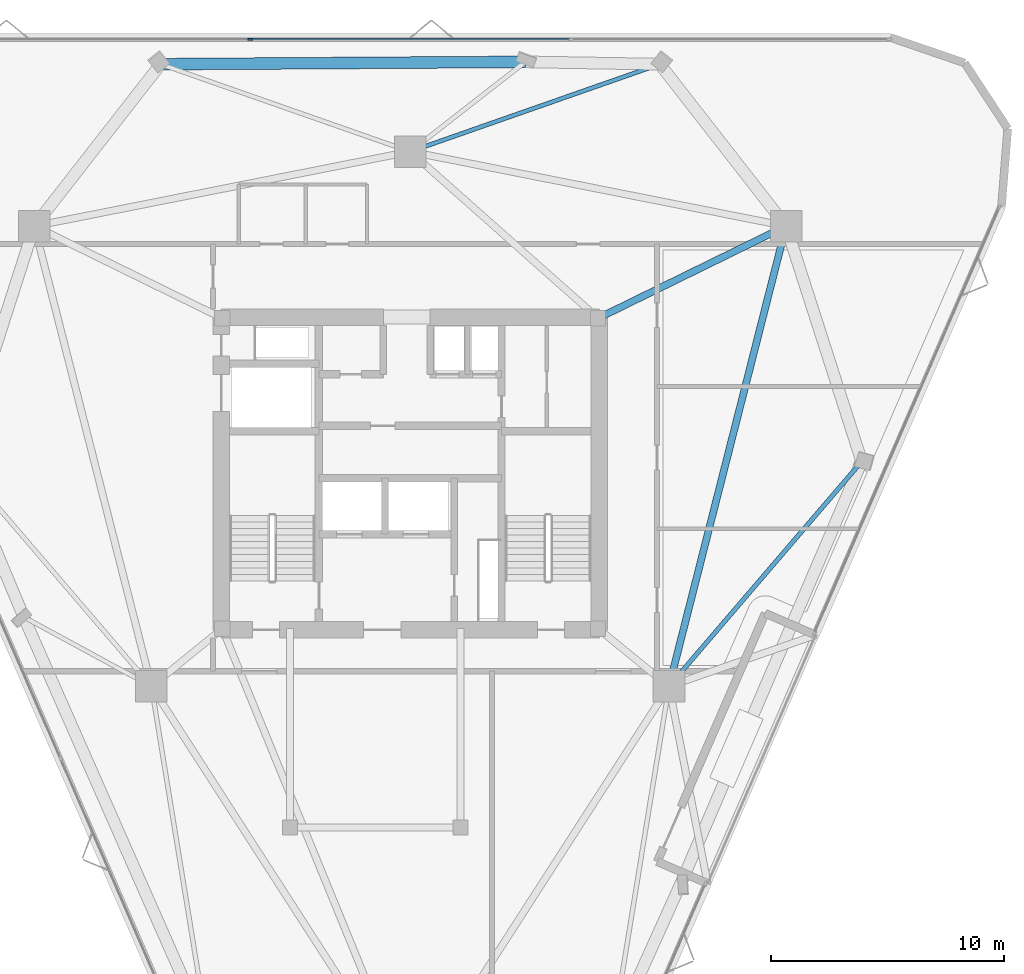
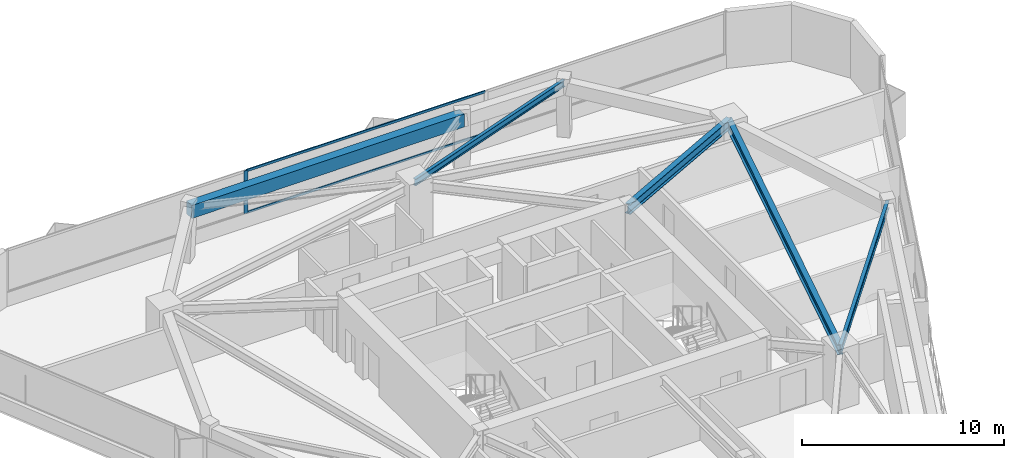
# One storey, part 5 of 11: 5 beams, 3 members, 1 element without a shape of its own.
"""IFC4 building model written with IfcOpenShell, lengths in metres."""

from ifc_helpers import new_model, si_unit, direction, frame, origin, origin_2d, place, context, subcontext, project, spatial, rectangle, i_section, extrude, material, layer, layer_set, material_profile, profile_set, type_object, element, aggregate, save


model = new_model("IFC4")

# Units and contexts
model_context = context("Model", 3, precision=1e-05, world=origin(), true_north=direction((0.0, 1.0)))
body_context = subcontext(model_context, "Body", "Model", "MODEL_VIEW")
ifc_project = project(units=[si_unit("LENGTHUNIT", "METRE"), si_unit("AREAUNIT", "SQUARE_METRE"), si_unit("VOLUMEUNIT", "CUBIC_METRE"), si_unit("PLANEANGLEUNIT", "RADIAN"), si_unit("MASSUNIT", "GRAM", prefix="KILO")], contexts=[model_context])

# Site, building, storey
site_placement = place(None, origin())
site = spatial("IfcSite", under=ifc_project, at=site_placement, CompositionType="ELEMENT")
building_placement = place(site_placement, origin())
building = spatial("IfcBuilding", under=site, at=building_placement, Name="Talyreon Biosciences Tower", CompositionType="ELEMENT")
storey_placement = place(building_placement, frame((0.0, 0.0, 201.300048828125)))
storey = spatial("IfcBuildingStorey", under=building, at=storey_placement, Name="L53", CompositionType="ELEMENT", Elevation=201.300048828125)

# Curtain wall, members
ifc_material_1 = material(Name="Thermally broken aluminium and low-E glazing", Category="aluminium")
ifc_layer = layer(ifc_material_1, 0.205078125)
ifc_layer_set = layer_set([ifc_layer], Name="Thermally broken aluminium and low-E glazing")
curtain_wall_type = type_object("IfcCurtainWallType", Name="CurtainWall_SkyGardenLoggia", PredefinedType="NOTDEFINED", material=ifc_layer_set)
curtain_wall_placement = place(storey_placement, origin())
curtain_wall = element("IfcCurtainWall", 1, at=curtain_wall_placement, inside=storey, type_object=curtain_wall_type, Name="L53 Unitised Curtain Wall FCW-L53-03", PredefinedType="NOTDEFINED")
ifc_material_2 = material(Name="Anodised thermally broken aluminium", Category="aluminium")
ifc_material_profile_1 = material_profile(ifc_material_2, rectangle(XDim=0.074951171875, YDim=0.2099609375, at=origin_2d()), Name="ALUM MULLION 75x210")
ifc_profile_set_1 = profile_set([ifc_material_profile_1], Name="Anodised thermally broken aluminium")
member_type_1 = type_object("IfcMemberType", Name="CWMullion_75x210", PredefinedType="MULLION", material=ifc_profile_set_1)
member_1_placement = place(storey_placement, frame((59.144775390625, 86.605224609375, 0.81005859375), z_axis=(0.0, 0.0, 1.0), x_axis=(0.0, 1.0, 0.0)))
member_1 = element("IfcMember", 2, at=member_1_placement, type_object=member_type_1, Name="CW7 mullion 2", PredefinedType="MULLION", context=body_context, shape_type="SweptSolid", body=[
    extrude(rectangle(XDim=0.074951171875, YDim=0.2099609375, at=origin_2d()), origin(), (0.0, 0.0, 1.0), 2.58984375),
])
ifc_material_profile_2 = material_profile(ifc_material_2, rectangle(XDim=0.06494140625, YDim=0.139892578125, at=origin_2d()), Name="ALUM TRANSOM 65x140")
ifc_profile_set_2 = profile_set([ifc_material_profile_2], Name="Anodised thermally broken aluminium")
member_type_2 = type_object("IfcMemberType", Name="CWTransom_65x140", PredefinedType="USERDEFINED", material=ifc_profile_set_2)
member_2_placement = place(storey_placement, frame((59.182373046875, 86.605224609375, 0.842529296875), z_axis=(1.0, 0.0, 0.0), x_axis=(0.0, 1.0, 0.0)))
member_2 = element("IfcMember", 3, at=member_2_placement, type_object=member_type_2, Name="CW7 transom 2.1", ObjectType="TRANSOM", PredefinedType="USERDEFINED", context=body_context, shape_type="SweptSolid", body=[
    extrude(rectangle(XDim=0.06494140625, YDim=0.139892578125, at=origin_2d()), origin(), (0.0, 0.0, 1.0), 13.63525390625),
])
member_3_placement = place(storey_placement, frame((59.182373046875, 86.605224609375, 3.367431640625), z_axis=(1.0, 0.0, 0.0), x_axis=(0.0, 1.0, 0.0)))
member_3 = element("IfcMember", 4, at=member_3_placement, type_object=member_type_2, Name="CW7 transom 2.2", ObjectType="TRANSOM", PredefinedType="USERDEFINED", context=body_context, shape_type="SweptSolid", body=[
    extrude(rectangle(XDim=0.06494140625, YDim=0.139892578125, at=origin_2d()), origin(), (0.0, 0.0, 1.0), 13.63525390625),
])
aggregate(curtain_wall, [member_1, member_2, member_3])

# Beams
ifc_material_3 = material(Name="Precast concrete C45/55", Category="concrete")
ifc_material_profile_3 = material_profile(ifc_material_3, rectangle(XDim=0.5, YDim=0.780029296875, at=origin_2d()), Name="RCB 500x780")
ifc_profile_set_3 = profile_set([ifc_material_profile_3], Name="Precast concrete C45/55")
beam_type_1 = type_object("IfcBeamType", Name="ExpressedSpandrel_500x780", PredefinedType="SPANDREL", material=ifc_profile_set_3)
beam_1_placement = place(storey_placement, frame((70.935791015625, 85.63525390625, 3.010009765625), z_axis=(-0.99997949343, -0.006404117343, 0.0), x_axis=(0.006404117343, -0.99997949343, 0.0)))
element("IfcBeam", 5, at=beam_1_placement, inside=storey, type_object=beam_type_1, Name="L53 Expressed Horizontal Concrete Spandrel 07", PredefinedType="SPANDREL", context=body_context, shape_type="SweptSolid", body=[
    extrude(rectangle(XDim=0.5, YDim=0.780029296875, at=origin_2d()), origin(), (0.0, 0.0, 1.0), 15.630126953125),
])
ifc_material_4 = material(Name="Steel SM355", Category="steel")
ifc_material_profile_4 = material_profile(ifc_material_4, i_section(OverallWidth=0.300048828125, OverallDepth=0.60009765625, WebThickness=0.015380859375, FlangeThickness=0.030029296875, FilletRadius=0.027099609375, at=origin_2d()), Name="HE600B")
ifc_profile_set_4 = profile_set([ifc_material_profile_4], Name="Steel SM355")
beam_type_2 = type_object("IfcBeamType", Name="SteelBeam_HE600B", PredefinedType="BEAM", material=ifc_profile_set_4)
beam_2_placement = place(storey_placement, frame((77.086181640625, 58.88037109375, 3.099853515625), z_axis=(0.246537082299, 0.969133358755, 0.0), x_axis=(-0.969133358755, 0.246537082299, 0.0)))
element("IfcBeam", 6, at=beam_2_placement, inside=storey, type_object=beam_type_2, Name="L53 Mega-Ring Girder 2", PredefinedType="BEAM", context=body_context, shape_type="SweptSolid", body=[
    extrude(i_section(OverallWidth=0.300048828125, OverallDepth=0.60009765625, WebThickness=0.015380859375, FlangeThickness=0.030029296875, FilletRadius=0.027099609375, at=origin_2d()), origin(), (0.0, 0.0, 1.0), 20.34619140625),
])
beam_3_placement = place(storey_placement, frame((74.050048828125, 74.64990234375, 3.099853515625), z_axis=(0.897852360314, 0.440296648952, 0.0), x_axis=(-0.440296648952, 0.897852360314, 0.0)))
element("IfcBeam", 7, at=beam_3_placement, inside=storey, type_object=beam_type_2, Name="L53 Radial Primary Girder 3", PredefinedType="BEAM", context=body_context, shape_type="SweptSolid", body=[
    extrude(i_section(OverallWidth=0.300048828125, OverallDepth=0.60009765625, WebThickness=0.015380859375, FlangeThickness=0.030029296875, FilletRadius=0.027099609375, at=origin_2d()), origin(), (0.0, 0.0, 1.0), 8.96826171875),
])
ifc_material_profile_5 = material_profile(ifc_material_4, i_section(OverallWidth=0.179931640625, OverallDepth=0.39990234375, WebThickness=0.008544921875, FlangeThickness=0.013427734375, FilletRadius=0.02099609375, at=origin_2d()), Name="IPE400")
ifc_profile_set_5 = profile_set([ifc_material_profile_5], Name="Steel SM355")
beam_type_3 = type_object("IfcBeamType", Name="SteelJoist_IPE400", PredefinedType="JOIST", material=ifc_profile_set_5)
beam_4_placement = place(storey_placement, frame((66.0, 81.788818359375, 3.199951171875), z_axis=(0.943764601957, 0.33061817266, 0.0), x_axis=(-0.33061817266, 0.943764601957, 0.0)))
element("IfcBeam", 8, at=beam_4_placement, inside=storey, type_object=beam_type_3, Name="L53 Radial Composite Floor Joist PC-N1", PredefinedType="JOIST", context=body_context, shape_type="SweptSolid", body=[
    extrude(i_section(OverallWidth=0.179931640625, OverallDepth=0.39990234375, WebThickness=0.008544921875, FlangeThickness=0.013427734375, FilletRadius=0.02099609375, at=origin_2d()), origin(), (0.0, 0.0, 1.0), 11.331298828125),
])
ifc_material_profile_6 = material_profile(ifc_material_4, i_section(OverallWidth=0.18994140625, OverallDepth=0.449951171875, WebThickness=0.009521484375, FlangeThickness=0.0146484375, FilletRadius=0.02099609375, at=origin_2d()), Name="IPE450")
ifc_profile_set_6 = profile_set([ifc_material_profile_6], Name="Steel SM355")
beam_type_4 = type_object("IfcBeamType", Name="SteelJoist_IPE450", PredefinedType="JOIST", material=ifc_profile_set_6)
beam_5_placement = place(storey_placement, frame((77.086181640625, 58.88037109375, 3.175048828125), z_axis=(0.650766021865, 0.759278331566, 0.0), x_axis=(-0.759278331566, 0.650766021865, 0.0)))
element("IfcBeam", 9, at=beam_5_placement, inside=storey, type_object=beam_type_4, Name="L53 Radial Composite Floor Joist PC-SE2", PredefinedType="JOIST", context=body_context, shape_type="SweptSolid", body=[
    extrude(i_section(OverallWidth=0.18994140625, OverallDepth=0.449951171875, WebThickness=0.009521484375, FlangeThickness=0.0146484375, FilletRadius=0.02099609375, at=origin_2d()), origin(), (0.0, 0.0, 1.0), 12.689453125),
])

save(model, "model.ifc")
